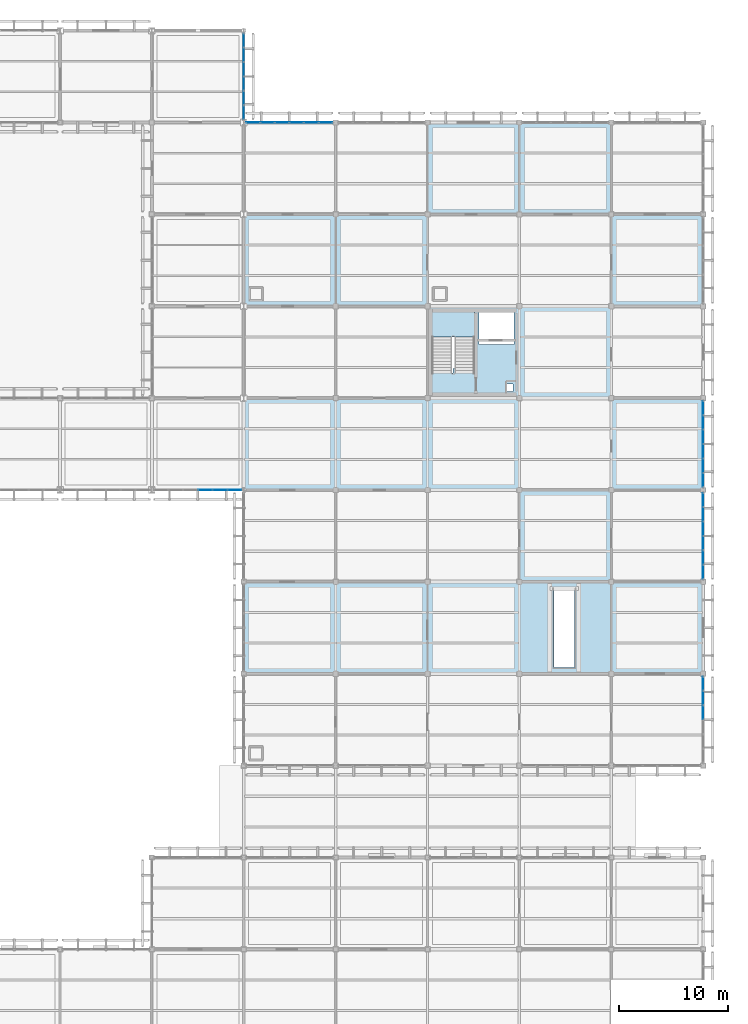
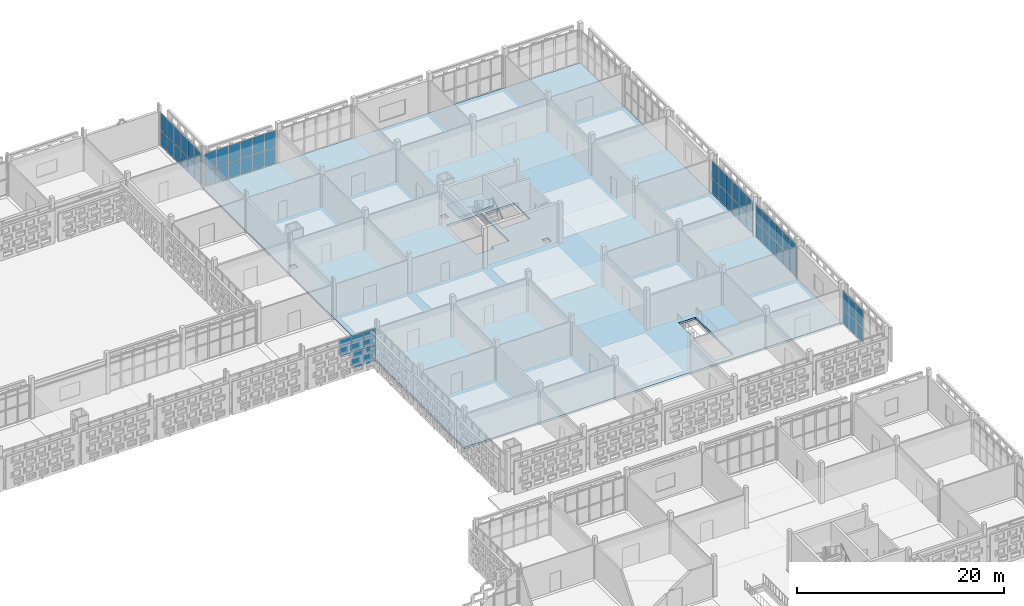
# One storey, part 106 of 203: 59 plates, 2 slabs, 7 elements without a shape of their own.
"""IFC4 building model written with IfcOpenShell, lengths in metres."""

from ifc_helpers import new_model, si_unit, direction, frame, origin, origin_2d, place, context, subcontext, project, spatial, polyline, rectangle, outline, extrude, material, layer, layer_set, type_object, element, aggregate, save


model = new_model("IFC4")

# Units and contexts
model_context = context("Model", 3, precision=1e-05, world=origin(), true_north=direction((0.0, 1.0)))
body_context = subcontext(model_context, "Body", "Model", "MODEL_VIEW")
ifc_project = project(units=[si_unit("LENGTHUNIT", "METRE"), si_unit("AREAUNIT", "SQUARE_METRE"), si_unit("VOLUMEUNIT", "CUBIC_METRE"), si_unit("PLANEANGLEUNIT", "RADIAN"), si_unit("MASSUNIT", "GRAM", prefix="KILO")], contexts=[model_context])

# Site, building, storey
site_placement = place(None, origin())
site = spatial("IfcSite", under=ifc_project, at=site_placement, CompositionType="ELEMENT")
building_placement = place(site_placement, origin())
building = spatial("IfcBuilding", under=site, at=building_placement, Name="Varnapada Polytechnic", CompositionType="ELEMENT")
storey_placement = place(building_placement, frame((0.0, 0.0, 4.800048828125)))
storey = spatial("IfcBuildingStorey", under=building, at=storey_placement, Name="L01", CompositionType="ELEMENT", Elevation=4.800048828125)

# Curtain wall, plates
ifc_material_1 = material(Name="Double low-E laminated glass", Category="glass")
ifc_layer_1 = layer(ifc_material_1, 0.159912109375)
ifc_layer_set_1 = layer_set([ifc_layer_1], Name="Double low-E laminated glass")
curtain_wall_type_1 = type_object("IfcCurtainWallType", Name="Curtain Wall CW-01", PredefinedType="NOTDEFINED", material=ifc_layer_set_1)
curtain_wall_1_placement = place(storey_placement, origin())
curtain_wall_1 = element("IfcCurtainWall", 1, at=curtain_wall_1_placement, inside=storey, type_object=curtain_wall_type_1, Name="L01 unitised curtain wall CW-01 (96)", PredefinedType="NOTDEFINED")
ifc_layer_2 = layer(ifc_material_1, 0.028076171875)
ifc_layer_set_2 = layer_set([ifc_layer_2], Name="Double low-E laminated glass")
plate_type_1 = type_object("IfcPlateType", Name="Curtain Panel PNL-01", PredefinedType="CURTAIN_PANEL", material=ifc_layer_set_2)
plate_1_placement = place(storey_placement, frame((133.56005859375, 84.0, 0.06005859375), z_axis=(0.0, 0.0, 1.0), x_axis=(-1.0, 0.0, 0.0)))
plate_1 = element("IfcPlate", 2, at=plate_1_placement, type_object=plate_type_1, Name="CW-01 panel 1.1", PredefinedType="CURTAIN_PANEL", context=body_context, shape_type="SweptSolid", body=[
    extrude(rectangle(XDim=1.260009765625, YDim=0.028076171875, at=origin_2d()), origin(), (0.0, 0.0, 1.0), 1.810791015625),
])
plate_2_placement = place(storey_placement, frame((133.56005859375, 84.0, 1.9306640625), z_axis=(0.0, 0.0, 1.0), x_axis=(-1.0, 0.0, 0.0)))
plate_2 = element("IfcPlate", 3, at=plate_2_placement, type_object=plate_type_1, Name="CW-01 panel 1.2", PredefinedType="CURTAIN_PANEL", context=body_context, shape_type="SweptSolid", body=[
    extrude(rectangle(XDim=1.260009765625, YDim=0.028076171875, at=origin_2d()), origin(), (0.0, 0.0, 1.0), 1.96923828125),
])
plate_3_placement = place(storey_placement, frame((132.22509765625, 84.0, 0.06005859375), z_axis=(0.0, 0.0, 1.0), x_axis=(-1.0, 0.0, 0.0)))
plate_3 = element("IfcPlate", 4, at=plate_3_placement, type_object=plate_type_1, Name="CW-01 panel 2.1", PredefinedType="CURTAIN_PANEL", context=body_context, shape_type="SweptSolid", body=[
    extrude(rectangle(XDim=1.2900390625, YDim=0.028076171875, at=origin_2d()), origin(), (0.0, 0.0, 1.0), 1.810791015625),
])
plate_4_placement = place(storey_placement, frame((132.22509765625, 84.0, 1.9306640625), z_axis=(0.0, 0.0, 1.0), x_axis=(-1.0, 0.0, 0.0)))
plate_4 = element("IfcPlate", 5, at=plate_4_placement, type_object=plate_type_1, Name="CW-01 panel 2.2", PredefinedType="CURTAIN_PANEL", context=body_context, shape_type="SweptSolid", body=[
    extrude(rectangle(XDim=1.2900390625, YDim=0.028076171875, at=origin_2d()), origin(), (0.0, 0.0, 1.0), 1.96923828125),
])
plate_5_placement = place(storey_placement, frame((130.875, 84.0, 1.9306640625), z_axis=(0.0, 0.0, 1.0), x_axis=(-1.0, 0.0, 0.0)))
plate_5 = element("IfcPlate", 6, at=plate_5_placement, type_object=plate_type_1, Name="CW-01 panel 3.2", PredefinedType="CURTAIN_PANEL", context=body_context, shape_type="SweptSolid", body=[
    extrude(rectangle(XDim=1.2900390625, YDim=0.028076171875, at=origin_2d()), origin(), (0.0, 0.0, 1.0), 1.96923828125),
])
aggregate(curtain_wall_1, [plate_1, plate_2, plate_3, plate_4, plate_5])

ifc_layer_3 = layer(ifc_material_1, 0.159912109375)
ifc_layer_set_3 = layer_set([ifc_layer_3], Name="Double low-E laminated glass")
curtain_wall_type_2 = type_object("IfcCurtainWallType", Name="Curtain Wall CW-02", PredefinedType="NOTDEFINED", material=ifc_layer_set_3)
curtain_wall_2_placement = place(storey_placement, origin())
curtain_wall_2 = element("IfcCurtainWall", 7, at=curtain_wall_2_placement, inside=storey, type_object=curtain_wall_type_2, Name="L01 unitised curtain wall CW-02 (99)", PredefinedType="NOTDEFINED")
plate_6_placement = place(storey_placement, frame((134.39990234375, 125.104248046875, 0.06005859375), z_axis=(0.0, 0.0, 1.0), x_axis=(0.0, -1.0, 0.0)))
plate_6 = element("IfcPlate", 8, at=plate_6_placement, type_object=plate_type_1, Name="CW-02 panel 1.1", PredefinedType="CURTAIN_PANEL", context=body_context, shape_type="SweptSolid", body=[
    extrude(rectangle(XDim=1.231689453125, YDim=0.028076171875, at=origin_2d()), origin(), (0.0, 0.0, 1.0), 1.810791015625),
])
plate_7_placement = place(storey_placement, frame((134.39990234375, 125.104248046875, 1.9306640625), z_axis=(0.0, 0.0, 1.0), x_axis=(0.0, -1.0, 0.0)))
plate_7 = element("IfcPlate", 9, at=plate_7_placement, type_object=plate_type_1, Name="CW-02 panel 1.2", PredefinedType="CURTAIN_PANEL", context=body_context, shape_type="SweptSolid", body=[
    extrude(rectangle(XDim=1.231689453125, YDim=0.028076171875, at=origin_2d()), origin(), (0.0, 0.0, 1.0), 1.96923828125),
])
plate_8_placement = place(storey_placement, frame((134.39990234375, 123.797607421875, 0.06005859375), z_axis=(0.0, 0.0, 1.0), x_axis=(0.0, -1.0, 0.0)))
plate_8 = element("IfcPlate", 10, at=plate_8_placement, type_object=plate_type_1, Name="CW-02 panel 2.1", PredefinedType="CURTAIN_PANEL", context=body_context, shape_type="SweptSolid", body=[
    extrude(rectangle(XDim=1.26171875, YDim=0.028076171875, at=origin_2d()), origin(), (0.0, 0.0, 1.0), 1.810791015625),
])
plate_9_placement = place(storey_placement, frame((134.39990234375, 123.797607421875, 1.9306640625), z_axis=(0.0, 0.0, 1.0), x_axis=(0.0, -1.0, 0.0)))
plate_9 = element("IfcPlate", 11, at=plate_9_placement, type_object=plate_type_1, Name="CW-02 panel 2.2", PredefinedType="CURTAIN_PANEL", context=body_context, shape_type="SweptSolid", body=[
    extrude(rectangle(XDim=1.26171875, YDim=0.028076171875, at=origin_2d()), origin(), (0.0, 0.0, 1.0), 1.96923828125),
])
plate_10_placement = place(storey_placement, frame((134.39990234375, 122.475830078125, 0.06005859375), z_axis=(0.0, 0.0, 1.0), x_axis=(0.0, -1.0, 0.0)))
plate_10 = element("IfcPlate", 12, at=plate_10_placement, type_object=plate_type_1, Name="CW-02 panel 3.1", PredefinedType="CURTAIN_PANEL", context=body_context, shape_type="SweptSolid", body=[
    extrude(rectangle(XDim=1.26171875, YDim=0.028076171875, at=origin_2d()), origin(), (0.0, 0.0, 1.0), 1.810791015625),
])
plate_11_placement = place(storey_placement, frame((134.39990234375, 122.475830078125, 1.9306640625), z_axis=(0.0, 0.0, 1.0), x_axis=(0.0, -1.0, 0.0)))
plate_11 = element("IfcPlate", 13, at=plate_11_placement, type_object=plate_type_1, Name="CW-02 panel 3.2", PredefinedType="CURTAIN_PANEL", context=body_context, shape_type="SweptSolid", body=[
    extrude(rectangle(XDim=1.26171875, YDim=0.028076171875, at=origin_2d()), origin(), (0.0, 0.0, 1.0), 1.96923828125),
])
plate_12_placement = place(storey_placement, frame((134.39990234375, 121.154052734375, 0.06005859375), z_axis=(0.0, 0.0, 1.0), x_axis=(0.0, -1.0, 0.0)))
plate_12 = element("IfcPlate", 14, at=plate_12_placement, type_object=plate_type_1, Name="CW-02 panel 4.1", PredefinedType="CURTAIN_PANEL", context=body_context, shape_type="SweptSolid", body=[
    extrude(rectangle(XDim=1.26171875, YDim=0.028076171875, at=origin_2d()), origin(), (0.0, 0.0, 1.0), 1.810791015625),
])
plate_13_placement = place(storey_placement, frame((134.39990234375, 121.154052734375, 1.9306640625), z_axis=(0.0, 0.0, 1.0), x_axis=(0.0, -1.0, 0.0)))
plate_13 = element("IfcPlate", 15, at=plate_13_placement, type_object=plate_type_1, Name="CW-02 panel 4.2", PredefinedType="CURTAIN_PANEL", context=body_context, shape_type="SweptSolid", body=[
    extrude(rectangle(XDim=1.26171875, YDim=0.028076171875, at=origin_2d()), origin(), (0.0, 0.0, 1.0), 1.96923828125),
])
plate_14_placement = place(storey_placement, frame((134.39990234375, 119.83251953125, 0.06005859375), z_axis=(0.0, 0.0, 1.0), x_axis=(0.0, -1.0, 0.0)))
plate_14 = element("IfcPlate", 16, at=plate_14_placement, type_object=plate_type_1, Name="CW-02 panel 5.1", PredefinedType="CURTAIN_PANEL", context=body_context, shape_type="SweptSolid", body=[
    extrude(rectangle(XDim=1.26171875, YDim=0.028076171875, at=origin_2d()), origin(), (0.0, 0.0, 1.0), 1.810791015625),
])
plate_15_placement = place(storey_placement, frame((134.39990234375, 119.83251953125, 1.9306640625), z_axis=(0.0, 0.0, 1.0), x_axis=(0.0, -1.0, 0.0)))
plate_15 = element("IfcPlate", 17, at=plate_15_placement, type_object=plate_type_1, Name="CW-02 panel 5.2", PredefinedType="CURTAIN_PANEL", context=body_context, shape_type="SweptSolid", body=[
    extrude(rectangle(XDim=1.26171875, YDim=0.028076171875, at=origin_2d()), origin(), (0.0, 0.0, 1.0), 1.96923828125),
])
plate_16_placement = place(storey_placement, frame((134.39990234375, 118.52587890625, 0.06005859375), z_axis=(0.0, 0.0, 1.0), x_axis=(0.0, -1.0, 0.0)))
plate_16 = element("IfcPlate", 18, at=plate_16_placement, type_object=plate_type_1, Name="CW-02 panel 6.1", PredefinedType="CURTAIN_PANEL", context=body_context, shape_type="SweptSolid", body=[
    extrude(rectangle(XDim=1.231689453125, YDim=0.028076171875, at=origin_2d()), origin(), (0.0, 0.0, 1.0), 1.810791015625),
])
plate_17_placement = place(storey_placement, frame((134.39990234375, 118.52587890625, 1.9306640625), z_axis=(0.0, 0.0, 1.0), x_axis=(0.0, -1.0, 0.0)))
plate_17 = element("IfcPlate", 19, at=plate_17_placement, type_object=plate_type_1, Name="CW-02 panel 6.2", PredefinedType="CURTAIN_PANEL", context=body_context, shape_type="SweptSolid", body=[
    extrude(rectangle(XDim=1.231689453125, YDim=0.028076171875, at=origin_2d()), origin(), (0.0, 0.0, 1.0), 1.96923828125),
])
aggregate(curtain_wall_2, [plate_6, plate_7, plate_8, plate_9, plate_10, plate_11, plate_12, plate_13, plate_14, plate_15, plate_16, plate_17])

ifc_layer_4 = layer(ifc_material_1, 0.179931640625)
ifc_layer_set_4 = layer_set([ifc_layer_4], Name="Double low-E laminated glass")
curtain_wall_type_3 = type_object("IfcCurtainWallType", Name="Curtain Wall CW-04", PredefinedType="NOTDEFINED", material=ifc_layer_set_4)
curtain_wall_3_placement = place(storey_placement, origin())
curtain_wall_3 = element("IfcCurtainWall", 20, at=curtain_wall_3_placement, inside=storey, type_object=curtain_wall_type_3, Name="L01 unitised curtain wall CW-04 (105)", PredefinedType="NOTDEFINED")
ifc_layer_5 = layer(ifc_material_1, 0.031982421875)
ifc_layer_set_5 = layer_set([ifc_layer_5], Name="Double low-E laminated glass")
plate_type_2 = type_object("IfcPlateType", Name="Curtain Panel PNL-02", PredefinedType="CURTAIN_PANEL", material=ifc_layer_set_5)
plate_18_placement = place(storey_placement, frame((135.234619140625, 117.60009765625, 0.06494140625), z_axis=(0.0, 0.0, 1.0), x_axis=(1.0, 0.0, 0.0)))
plate_18 = element("IfcPlate", 21, at=plate_18_placement, type_object=plate_type_2, Name="CW-04 panel 1.1", PredefinedType="CURTAIN_PANEL", context=body_context, shape_type="SweptSolid", body=[
    extrude(rectangle(XDim=1.2392578125, YDim=0.031982421875, at=origin_2d()), origin(), (0.0, 0.0, 1.0), 1.80322265625),
])
plate_19_placement = place(storey_placement, frame((135.234619140625, 117.60009765625, 1.93310546875), z_axis=(0.0, 0.0, 1.0), x_axis=(1.0, 0.0, 0.0)))
plate_19 = element("IfcPlate", 22, at=plate_19_placement, type_object=plate_type_2, Name="CW-04 panel 1.2", PredefinedType="CURTAIN_PANEL", context=body_context, shape_type="SweptSolid", body=[
    extrude(rectangle(XDim=1.2392578125, YDim=0.031982421875, at=origin_2d()), origin(), (0.0, 0.0, 1.0), 1.961669921875),
])
plate_20_placement = place(storey_placement, frame((136.554931640625, 117.60009765625, 0.06494140625), z_axis=(0.0, 0.0, 1.0), x_axis=(1.0, 0.0, 0.0)))
plate_20 = element("IfcPlate", 23, at=plate_20_placement, type_object=plate_type_2, Name="CW-04 panel 2.1", PredefinedType="CURTAIN_PANEL", context=body_context, shape_type="SweptSolid", body=[
    extrude(rectangle(XDim=1.271728515625, YDim=0.031982421875, at=origin_2d()), origin(), (0.0, 0.0, 1.0), 1.80322265625),
])
plate_21_placement = place(storey_placement, frame((136.554931640625, 117.60009765625, 1.93310546875), z_axis=(0.0, 0.0, 1.0), x_axis=(1.0, 0.0, 0.0)))
plate_21 = element("IfcPlate", 24, at=plate_21_placement, type_object=plate_type_2, Name="CW-04 panel 2.2", PredefinedType="CURTAIN_PANEL", context=body_context, shape_type="SweptSolid", body=[
    extrude(rectangle(XDim=1.271728515625, YDim=0.031982421875, at=origin_2d()), origin(), (0.0, 0.0, 1.0), 1.961669921875),
])
plate_22_placement = place(storey_placement, frame((137.8916015625, 117.60009765625, 0.06494140625), z_axis=(0.0, 0.0, 1.0), x_axis=(1.0, 0.0, 0.0)))
plate_22 = element("IfcPlate", 25, at=plate_22_placement, type_object=plate_type_2, Name="CW-04 panel 3.1", PredefinedType="CURTAIN_PANEL", context=body_context, shape_type="SweptSolid", body=[
    extrude(rectangle(XDim=1.271728515625, YDim=0.031982421875, at=origin_2d()), origin(), (0.0, 0.0, 1.0), 1.80322265625),
])
plate_23_placement = place(storey_placement, frame((137.8916015625, 117.60009765625, 1.93310546875), z_axis=(0.0, 0.0, 1.0), x_axis=(1.0, 0.0, 0.0)))
plate_23 = element("IfcPlate", 26, at=plate_23_placement, type_object=plate_type_2, Name="CW-04 panel 3.2", PredefinedType="CURTAIN_PANEL", context=body_context, shape_type="SweptSolid", body=[
    extrude(rectangle(XDim=1.271728515625, YDim=0.031982421875, at=origin_2d()), origin(), (0.0, 0.0, 1.0), 1.961669921875),
])
plate_24_placement = place(storey_placement, frame((139.228271484375, 117.60009765625, 0.06494140625), z_axis=(0.0, 0.0, 1.0), x_axis=(1.0, 0.0, 0.0)))
plate_24 = element("IfcPlate", 27, at=plate_24_placement, type_object=plate_type_2, Name="CW-04 panel 4.1", PredefinedType="CURTAIN_PANEL", context=body_context, shape_type="SweptSolid", body=[
    extrude(rectangle(XDim=1.271728515625, YDim=0.031982421875, at=origin_2d()), origin(), (0.0, 0.0, 1.0), 1.80322265625),
])
plate_25_placement = place(storey_placement, frame((139.228271484375, 117.60009765625, 1.93310546875), z_axis=(0.0, 0.0, 1.0), x_axis=(1.0, 0.0, 0.0)))
plate_25 = element("IfcPlate", 28, at=plate_25_placement, type_object=plate_type_2, Name="CW-04 panel 4.2", PredefinedType="CURTAIN_PANEL", context=body_context, shape_type="SweptSolid", body=[
    extrude(rectangle(XDim=1.271728515625, YDim=0.031982421875, at=origin_2d()), origin(), (0.0, 0.0, 1.0), 1.961669921875),
])
plate_26_placement = place(storey_placement, frame((140.56494140625, 117.60009765625, 0.06494140625), z_axis=(0.0, 0.0, 1.0), x_axis=(1.0, 0.0, 0.0)))
plate_26 = element("IfcPlate", 29, at=plate_26_placement, type_object=plate_type_2, Name="CW-04 panel 5.1", PredefinedType="CURTAIN_PANEL", context=body_context, shape_type="SweptSolid", body=[
    extrude(rectangle(XDim=1.271728515625, YDim=0.031982421875, at=origin_2d()), origin(), (0.0, 0.0, 1.0), 1.80322265625),
])
plate_27_placement = place(storey_placement, frame((140.56494140625, 117.60009765625, 1.93310546875), z_axis=(0.0, 0.0, 1.0), x_axis=(1.0, 0.0, 0.0)))
plate_27 = element("IfcPlate", 30, at=plate_27_placement, type_object=plate_type_2, Name="CW-04 panel 5.2", PredefinedType="CURTAIN_PANEL", context=body_context, shape_type="SweptSolid", body=[
    extrude(rectangle(XDim=1.271728515625, YDim=0.031982421875, at=origin_2d()), origin(), (0.0, 0.0, 1.0), 1.961669921875),
])
plate_28_placement = place(storey_placement, frame((141.885498046875, 117.60009765625, 0.06494140625), z_axis=(0.0, 0.0, 1.0), x_axis=(1.0, 0.0, 0.0)))
plate_28 = element("IfcPlate", 31, at=plate_28_placement, type_object=plate_type_2, Name="CW-04 panel 6.1", PredefinedType="CURTAIN_PANEL", context=body_context, shape_type="SweptSolid", body=[
    extrude(rectangle(XDim=1.2392578125, YDim=0.031982421875, at=origin_2d()), origin(), (0.0, 0.0, 1.0), 1.80322265625),
])
plate_29_placement = place(storey_placement, frame((141.885498046875, 117.60009765625, 1.93310546875), z_axis=(0.0, 0.0, 1.0), x_axis=(1.0, 0.0, 0.0)))
plate_29 = element("IfcPlate", 32, at=plate_29_placement, type_object=plate_type_2, Name="CW-04 panel 6.2", PredefinedType="CURTAIN_PANEL", context=body_context, shape_type="SweptSolid", body=[
    extrude(rectangle(XDim=1.2392578125, YDim=0.031982421875, at=origin_2d()), origin(), (0.0, 0.0, 1.0), 1.961669921875),
])
aggregate(curtain_wall_3, [plate_18, plate_19, plate_20, plate_21, plate_22, plate_23, plate_24, plate_25, plate_26, plate_27, plate_28, plate_29])

curtain_wall_4_placement = place(storey_placement, origin())
curtain_wall_4 = element("IfcCurtainWall", 33, at=curtain_wall_4_placement, inside=storey, type_object=curtain_wall_type_3, Name="L01 unitised curtain wall CW-04 (122)", PredefinedType="NOTDEFINED")
plate_30_placement = place(storey_placement, frame((176.39990234375, 66.291259765625, 0.06494140625), z_axis=(0.0, 0.0, 1.0), x_axis=(0.0, -1.0, 0.0)))
plate_30 = element("IfcPlate", 34, at=plate_30_placement, type_object=plate_type_2, Name="CW-04 panel 1.1", PredefinedType="CURTAIN_PANEL", context=body_context, shape_type="SweptSolid", body=[
    extrude(rectangle(XDim=1.2275390625, YDim=0.031982421875, at=origin_2d()), origin(), (0.0, 0.0, 1.0), 1.80322265625),
])
plate_31_placement = place(storey_placement, frame((176.39990234375, 66.291259765625, 1.93310546875), z_axis=(0.0, 0.0, 1.0), x_axis=(0.0, -1.0, 0.0)))
plate_31 = element("IfcPlate", 35, at=plate_31_placement, type_object=plate_type_2, Name="CW-04 panel 1.2", PredefinedType="CURTAIN_PANEL", context=body_context, shape_type="SweptSolid", body=[
    extrude(rectangle(XDim=1.2275390625, YDim=0.031982421875, at=origin_2d()), origin(), (0.0, 0.0, 1.0), 1.961669921875),
])
plate_32_placement = place(storey_placement, frame((176.39990234375, 64.982421875, 0.06494140625), z_axis=(0.0, 0.0, 1.0), x_axis=(0.0, -1.0, 0.0)))
plate_32 = element("IfcPlate", 36, at=plate_32_placement, type_object=plate_type_2, Name="CW-04 panel 2.1", PredefinedType="CURTAIN_PANEL", context=body_context, shape_type="SweptSolid", body=[
    extrude(rectangle(XDim=1.260009765625, YDim=0.031982421875, at=origin_2d()), origin(), (0.0, 0.0, 1.0), 1.80322265625),
])
plate_33_placement = place(storey_placement, frame((176.39990234375, 64.982421875, 1.93310546875), z_axis=(0.0, 0.0, 1.0), x_axis=(0.0, -1.0, 0.0)))
plate_33 = element("IfcPlate", 37, at=plate_33_placement, type_object=plate_type_2, Name="CW-04 panel 2.2", PredefinedType="CURTAIN_PANEL", context=body_context, shape_type="SweptSolid", body=[
    extrude(rectangle(XDim=1.260009765625, YDim=0.031982421875, at=origin_2d()), origin(), (0.0, 0.0, 1.0), 1.961669921875),
])
plate_34_placement = place(storey_placement, frame((176.39990234375, 63.657470703125, 0.06494140625), z_axis=(0.0, 0.0, 1.0), x_axis=(0.0, -1.0, 0.0)))
plate_34 = element("IfcPlate", 38, at=plate_34_placement, type_object=plate_type_2, Name="CW-04 panel 3.1", PredefinedType="CURTAIN_PANEL", context=body_context, shape_type="SweptSolid", body=[
    extrude(rectangle(XDim=1.260009765625, YDim=0.031982421875, at=origin_2d()), origin(), (0.0, 0.0, 1.0), 1.80322265625),
])
plate_35_placement = place(storey_placement, frame((176.39990234375, 63.657470703125, 1.93310546875), z_axis=(0.0, 0.0, 1.0), x_axis=(0.0, -1.0, 0.0)))
plate_35 = element("IfcPlate", 39, at=plate_35_placement, type_object=plate_type_2, Name="CW-04 panel 3.2", PredefinedType="CURTAIN_PANEL", context=body_context, shape_type="SweptSolid", body=[
    extrude(rectangle(XDim=1.260009765625, YDim=0.031982421875, at=origin_2d()), origin(), (0.0, 0.0, 1.0), 1.961669921875),
])
aggregate(curtain_wall_4, [plate_30, plate_31, plate_32, plate_33, plate_34, plate_35])

curtain_wall_5_placement = place(storey_placement, origin())
curtain_wall_5 = element("IfcCurtainWall", 40, at=curtain_wall_5_placement, inside=storey, type_object=curtain_wall_type_3, Name="L01 unitised curtain wall CW-04 (123)", PredefinedType="NOTDEFINED")
plate_36_placement = place(storey_placement, frame((176.39990234375, 83.09130859375, 0.06494140625), z_axis=(0.0, 0.0, 1.0), x_axis=(0.0, -1.0, 0.0)))
plate_36 = element("IfcPlate", 41, at=plate_36_placement, type_object=plate_type_2, Name="CW-04 panel 1.1", PredefinedType="CURTAIN_PANEL", context=body_context, shape_type="SweptSolid", body=[
    extrude(rectangle(XDim=1.2275390625, YDim=0.031982421875, at=origin_2d()), origin(), (0.0, 0.0, 1.0), 1.80322265625),
])
plate_37_placement = place(storey_placement, frame((176.39990234375, 83.09130859375, 1.93310546875), z_axis=(0.0, 0.0, 1.0), x_axis=(0.0, -1.0, 0.0)))
plate_37 = element("IfcPlate", 42, at=plate_37_placement, type_object=plate_type_2, Name="CW-04 panel 1.2", PredefinedType="CURTAIN_PANEL", context=body_context, shape_type="SweptSolid", body=[
    extrude(rectangle(XDim=1.2275390625, YDim=0.031982421875, at=origin_2d()), origin(), (0.0, 0.0, 1.0), 1.961669921875),
])
plate_38_placement = place(storey_placement, frame((176.39990234375, 81.782470703125, 0.06494140625), z_axis=(0.0, 0.0, 1.0), x_axis=(0.0, -1.0, 0.0)))
plate_38 = element("IfcPlate", 43, at=plate_38_placement, type_object=plate_type_2, Name="CW-04 panel 2.1", PredefinedType="CURTAIN_PANEL", context=body_context, shape_type="SweptSolid", body=[
    extrude(rectangle(XDim=1.260009765625, YDim=0.031982421875, at=origin_2d()), origin(), (0.0, 0.0, 1.0), 1.80322265625),
])
plate_39_placement = place(storey_placement, frame((176.39990234375, 81.782470703125, 1.93310546875), z_axis=(0.0, 0.0, 1.0), x_axis=(0.0, -1.0, 0.0)))
plate_39 = element("IfcPlate", 44, at=plate_39_placement, type_object=plate_type_2, Name="CW-04 panel 2.2", PredefinedType="CURTAIN_PANEL", context=body_context, shape_type="SweptSolid", body=[
    extrude(rectangle(XDim=1.260009765625, YDim=0.031982421875, at=origin_2d()), origin(), (0.0, 0.0, 1.0), 1.961669921875),
])
plate_40_placement = place(storey_placement, frame((176.39990234375, 80.45751953125, 0.06494140625), z_axis=(0.0, 0.0, 1.0), x_axis=(0.0, -1.0, 0.0)))
plate_40 = element("IfcPlate", 45, at=plate_40_placement, type_object=plate_type_2, Name="CW-04 panel 3.1", PredefinedType="CURTAIN_PANEL", context=body_context, shape_type="SweptSolid", body=[
    extrude(rectangle(XDim=1.260009765625, YDim=0.031982421875, at=origin_2d()), origin(), (0.0, 0.0, 1.0), 1.80322265625),
])
plate_41_placement = place(storey_placement, frame((176.39990234375, 80.45751953125, 1.93310546875), z_axis=(0.0, 0.0, 1.0), x_axis=(0.0, -1.0, 0.0)))
plate_41 = element("IfcPlate", 46, at=plate_41_placement, type_object=plate_type_2, Name="CW-04 panel 3.2", PredefinedType="CURTAIN_PANEL", context=body_context, shape_type="SweptSolid", body=[
    extrude(rectangle(XDim=1.260009765625, YDim=0.031982421875, at=origin_2d()), origin(), (0.0, 0.0, 1.0), 1.961669921875),
])
plate_42_placement = place(storey_placement, frame((176.39990234375, 79.132568359375, 0.06494140625), z_axis=(0.0, 0.0, 1.0), x_axis=(0.0, -1.0, 0.0)))
plate_42 = element("IfcPlate", 47, at=plate_42_placement, type_object=plate_type_2, Name="CW-04 panel 4.1", PredefinedType="CURTAIN_PANEL", context=body_context, shape_type="SweptSolid", body=[
    extrude(rectangle(XDim=1.260009765625, YDim=0.031982421875, at=origin_2d()), origin(), (0.0, 0.0, 1.0), 1.80322265625),
])
plate_43_placement = place(storey_placement, frame((176.39990234375, 79.132568359375, 1.93310546875), z_axis=(0.0, 0.0, 1.0), x_axis=(0.0, -1.0, 0.0)))
plate_43 = element("IfcPlate", 48, at=plate_43_placement, type_object=plate_type_2, Name="CW-04 panel 4.2", PredefinedType="CURTAIN_PANEL", context=body_context, shape_type="SweptSolid", body=[
    extrude(rectangle(XDim=1.260009765625, YDim=0.031982421875, at=origin_2d()), origin(), (0.0, 0.0, 1.0), 1.961669921875),
])
plate_44_placement = place(storey_placement, frame((176.39990234375, 77.8076171875, 0.06494140625), z_axis=(0.0, 0.0, 1.0), x_axis=(0.0, -1.0, 0.0)))
plate_44 = element("IfcPlate", 49, at=plate_44_placement, type_object=plate_type_2, Name="CW-04 panel 5.1", PredefinedType="CURTAIN_PANEL", context=body_context, shape_type="SweptSolid", body=[
    extrude(rectangle(XDim=1.260009765625, YDim=0.031982421875, at=origin_2d()), origin(), (0.0, 0.0, 1.0), 1.80322265625),
])
plate_45_placement = place(storey_placement, frame((176.39990234375, 77.8076171875, 1.93310546875), z_axis=(0.0, 0.0, 1.0), x_axis=(0.0, -1.0, 0.0)))
plate_45 = element("IfcPlate", 50, at=plate_45_placement, type_object=plate_type_2, Name="CW-04 panel 5.2", PredefinedType="CURTAIN_PANEL", context=body_context, shape_type="SweptSolid", body=[
    extrude(rectangle(XDim=1.260009765625, YDim=0.031982421875, at=origin_2d()), origin(), (0.0, 0.0, 1.0), 1.961669921875),
])
plate_46_placement = place(storey_placement, frame((176.39990234375, 76.498779296875, 0.06494140625), z_axis=(0.0, 0.0, 1.0), x_axis=(0.0, -1.0, 0.0)))
plate_46 = element("IfcPlate", 51, at=plate_46_placement, type_object=plate_type_2, Name="CW-04 panel 6.1", PredefinedType="CURTAIN_PANEL", context=body_context, shape_type="SweptSolid", body=[
    extrude(rectangle(XDim=1.2275390625, YDim=0.031982421875, at=origin_2d()), origin(), (0.0, 0.0, 1.0), 1.80322265625),
])
plate_47_placement = place(storey_placement, frame((176.39990234375, 76.498779296875, 1.93310546875), z_axis=(0.0, 0.0, 1.0), x_axis=(0.0, -1.0, 0.0)))
plate_47 = element("IfcPlate", 52, at=plate_47_placement, type_object=plate_type_2, Name="CW-04 panel 6.2", PredefinedType="CURTAIN_PANEL", context=body_context, shape_type="SweptSolid", body=[
    extrude(rectangle(XDim=1.2275390625, YDim=0.031982421875, at=origin_2d()), origin(), (0.0, 0.0, 1.0), 1.961669921875),
])
aggregate(curtain_wall_5, [plate_36, plate_37, plate_38, plate_39, plate_40, plate_41, plate_42, plate_43, plate_44, plate_45, plate_46, plate_47])

curtain_wall_6_placement = place(storey_placement, origin())
curtain_wall_6 = element("IfcCurtainWall", 53, at=curtain_wall_6_placement, inside=storey, type_object=curtain_wall_type_3, Name="L01 unitised curtain wall CW-04 (124)", PredefinedType="NOTDEFINED")
plate_48_placement = place(storey_placement, frame((176.39990234375, 91.501220703125, 0.06494140625), z_axis=(0.0, 0.0, 1.0), x_axis=(0.0, -1.0, 0.0)))
plate_48 = element("IfcPlate", 54, at=plate_48_placement, type_object=plate_type_2, Name="CW-04 panel 1.1", PredefinedType="CURTAIN_PANEL", context=body_context, shape_type="SweptSolid", body=[
    extrude(rectangle(XDim=1.2275390625, YDim=0.031982421875, at=origin_2d()), origin(), (0.0, 0.0, 1.0), 1.80322265625),
])
plate_49_placement = place(storey_placement, frame((176.39990234375, 91.501220703125, 1.93310546875), z_axis=(0.0, 0.0, 1.0), x_axis=(0.0, -1.0, 0.0)))
plate_49 = element("IfcPlate", 55, at=plate_49_placement, type_object=plate_type_2, Name="CW-04 panel 1.2", PredefinedType="CURTAIN_PANEL", context=body_context, shape_type="SweptSolid", body=[
    extrude(rectangle(XDim=1.2275390625, YDim=0.031982421875, at=origin_2d()), origin(), (0.0, 0.0, 1.0), 1.961669921875),
])
plate_50_placement = place(storey_placement, frame((176.39990234375, 90.1923828125, 0.06494140625), z_axis=(0.0, 0.0, 1.0), x_axis=(0.0, -1.0, 0.0)))
plate_50 = element("IfcPlate", 56, at=plate_50_placement, type_object=plate_type_2, Name="CW-04 panel 2.1", PredefinedType="CURTAIN_PANEL", context=body_context, shape_type="SweptSolid", body=[
    extrude(rectangle(XDim=1.260009765625, YDim=0.031982421875, at=origin_2d()), origin(), (0.0, 0.0, 1.0), 1.80322265625),
])
plate_51_placement = place(storey_placement, frame((176.39990234375, 90.1923828125, 1.93310546875), z_axis=(0.0, 0.0, 1.0), x_axis=(0.0, -1.0, 0.0)))
plate_51 = element("IfcPlate", 57, at=plate_51_placement, type_object=plate_type_2, Name="CW-04 panel 2.2", PredefinedType="CURTAIN_PANEL", context=body_context, shape_type="SweptSolid", body=[
    extrude(rectangle(XDim=1.260009765625, YDim=0.031982421875, at=origin_2d()), origin(), (0.0, 0.0, 1.0), 1.961669921875),
])
plate_52_placement = place(storey_placement, frame((176.39990234375, 88.867431640625, 0.06494140625), z_axis=(0.0, 0.0, 1.0), x_axis=(0.0, -1.0, 0.0)))
plate_52 = element("IfcPlate", 58, at=plate_52_placement, type_object=plate_type_2, Name="CW-04 panel 3.1", PredefinedType="CURTAIN_PANEL", context=body_context, shape_type="SweptSolid", body=[
    extrude(rectangle(XDim=1.260009765625, YDim=0.031982421875, at=origin_2d()), origin(), (0.0, 0.0, 1.0), 1.80322265625),
])
plate_53_placement = place(storey_placement, frame((176.39990234375, 88.867431640625, 1.93310546875), z_axis=(0.0, 0.0, 1.0), x_axis=(0.0, -1.0, 0.0)))
plate_53 = element("IfcPlate", 59, at=plate_53_placement, type_object=plate_type_2, Name="CW-04 panel 3.2", PredefinedType="CURTAIN_PANEL", context=body_context, shape_type="SweptSolid", body=[
    extrude(rectangle(XDim=1.260009765625, YDim=0.031982421875, at=origin_2d()), origin(), (0.0, 0.0, 1.0), 1.961669921875),
])
plate_54_placement = place(storey_placement, frame((176.39990234375, 87.54248046875, 0.06494140625), z_axis=(0.0, 0.0, 1.0), x_axis=(0.0, -1.0, 0.0)))
plate_54 = element("IfcPlate", 60, at=plate_54_placement, type_object=plate_type_2, Name="CW-04 panel 4.1", PredefinedType="CURTAIN_PANEL", context=body_context, shape_type="SweptSolid", body=[
    extrude(rectangle(XDim=1.260009765625, YDim=0.031982421875, at=origin_2d()), origin(), (0.0, 0.0, 1.0), 1.80322265625),
])
plate_55_placement = place(storey_placement, frame((176.39990234375, 87.54248046875, 1.93310546875), z_axis=(0.0, 0.0, 1.0), x_axis=(0.0, -1.0, 0.0)))
plate_55 = element("IfcPlate", 61, at=plate_55_placement, type_object=plate_type_2, Name="CW-04 panel 4.2", PredefinedType="CURTAIN_PANEL", context=body_context, shape_type="SweptSolid", body=[
    extrude(rectangle(XDim=1.260009765625, YDim=0.031982421875, at=origin_2d()), origin(), (0.0, 0.0, 1.0), 1.961669921875),
])
plate_56_placement = place(storey_placement, frame((176.39990234375, 86.217529296875, 0.06494140625), z_axis=(0.0, 0.0, 1.0), x_axis=(0.0, -1.0, 0.0)))
plate_56 = element("IfcPlate", 62, at=plate_56_placement, type_object=plate_type_2, Name="CW-04 panel 5.1", PredefinedType="CURTAIN_PANEL", context=body_context, shape_type="SweptSolid", body=[
    extrude(rectangle(XDim=1.260009765625, YDim=0.031982421875, at=origin_2d()), origin(), (0.0, 0.0, 1.0), 1.80322265625),
])
plate_57_placement = place(storey_placement, frame((176.39990234375, 86.217529296875, 1.93310546875), z_axis=(0.0, 0.0, 1.0), x_axis=(0.0, -1.0, 0.0)))
plate_57 = element("IfcPlate", 63, at=plate_57_placement, type_object=plate_type_2, Name="CW-04 panel 5.2", PredefinedType="CURTAIN_PANEL", context=body_context, shape_type="SweptSolid", body=[
    extrude(rectangle(XDim=1.260009765625, YDim=0.031982421875, at=origin_2d()), origin(), (0.0, 0.0, 1.0), 1.961669921875),
])
plate_58_placement = place(storey_placement, frame((176.39990234375, 84.90869140625, 0.06494140625), z_axis=(0.0, 0.0, 1.0), x_axis=(0.0, -1.0, 0.0)))
plate_58 = element("IfcPlate", 64, at=plate_58_placement, type_object=plate_type_2, Name="CW-04 panel 6.1", PredefinedType="CURTAIN_PANEL", context=body_context, shape_type="SweptSolid", body=[
    extrude(rectangle(XDim=1.2275390625, YDim=0.031982421875, at=origin_2d()), origin(), (0.0, 0.0, 1.0), 1.80322265625),
])
plate_59_placement = place(storey_placement, frame((176.39990234375, 84.90869140625, 1.93310546875), z_axis=(0.0, 0.0, 1.0), x_axis=(0.0, -1.0, 0.0)))
plate_59 = element("IfcPlate", 65, at=plate_59_placement, type_object=plate_type_2, Name="CW-04 panel 6.2", PredefinedType="CURTAIN_PANEL", context=body_context, shape_type="SweptSolid", body=[
    extrude(rectangle(XDim=1.2275390625, YDim=0.031982421875, at=origin_2d()), origin(), (0.0, 0.0, 1.0), 1.961669921875),
])
aggregate(curtain_wall_6, [plate_48, plate_49, plate_50, plate_51, plate_52, plate_53, plate_54, plate_55, plate_56, plate_57, plate_58, plate_59])

# Slab
ifc_material_2 = material(Name="Cross-laminated timber CLT C24", Category="wood")
ifc_layer_6 = layer(ifc_material_2, 0.25)
ifc_layer_set_6 = layer_set([ifc_layer_6], Name="Cross-laminated timber CLT C24")
slab_type_1 = type_object("IfcSlabType", Name="L01/L02 library & union CLT composite slab SL-05", PredefinedType="FLOOR", material=ifc_layer_set_6)
slab_1_placement = place(storey_placement, frame((0.0, 0.0, -0.25)))
element("IfcSlab", 66, at=slab_1_placement, inside=storey, type_object=slab_type_1, Name="L01 V5 slab 5.1", PredefinedType="FLOOR", context=body_context, shape_type="SweptSolid", body=[
    extrude(outline(polyline([(134.39990234375, 92.39990234375), (134.39990234375, 100.800048828125), (134.39990234375, 109.199951171875), (134.39990234375, 117.60009765625), (142.800048828125, 117.60009765625), (151.199951171875, 117.60009765625), (159.60009765625, 117.60009765625), (168.0, 117.60009765625), (176.39990234375, 117.60009765625), (176.39990234375, 109.199951171875), (176.39990234375, 100.800048828125), (176.39990234375, 92.39990234375), (176.39990234375, 84.0), (176.39990234375, 75.60009765625), (176.39990234375, 67.199951171875), (168.0, 67.199951171875), (159.60009765625, 67.199951171875), (151.199951171875, 67.199951171875), (142.800048828125, 67.199951171875), (134.39990234375, 67.199951171875), (134.39990234375, 75.60009765625), (134.39990234375, 84.0), (134.39990234375, 92.39990234375)]), holes=[polyline([(151.60009765625, 94.7099609375), (153.550048828125, 94.7099609375), (153.550048828125, 95.110107421875), (155.5, 95.110107421875), (155.5, 100.39990234375), (151.60009765625, 100.39990234375), (151.60009765625, 94.7099609375)]), polyline([(162.75, 67.75), (164.64990234375, 67.75), (164.64990234375, 75.0), (162.75, 75.0), (162.75, 67.75)]), polyline([(155.89990234375, 97.300048828125), (159.10009765625, 97.300048828125), (159.10009765625, 100.35009765625), (155.89990234375, 100.35009765625), (155.89990234375, 97.300048828125)]), polyline([(158.35009765625, 93.02001953125), (159.0, 93.02001953125), (159.0, 93.669921875), (158.35009765625, 93.669921875), (158.35009765625, 93.02001953125)]), polyline([(135.050048828125, 101.449951171875), (135.64990234375, 101.449951171875), (135.64990234375, 102.050048828125), (135.050048828125, 102.050048828125), (135.050048828125, 101.449951171875)]), polyline([(151.85009765625, 101.449951171875), (152.449951171875, 101.449951171875), (152.449951171875, 102.050048828125), (151.85009765625, 102.050048828125), (151.85009765625, 101.449951171875)])]), origin(), (0.0, 0.0, 1.0), 0.25),
])

# Stair, slab
ifc_material_3 = material(Name="Concrete C40/50", Category="concrete")
stair_type = type_object("IfcStairType", Name="Core Exit Stair ST-B", PredefinedType="HALF_TURN_STAIR", material=ifc_material_3)
stair_placement = place(storey_placement, origin())
stair = element("IfcStair", 67, at=stair_placement, inside=storey, type_object=stair_type, Name="L01 Core C5 Exit Stair", PredefinedType="HALF_TURN_STAIR")
ifc_layer_7 = layer(ifc_material_3, 0.219970703125)
ifc_layer_set_7 = layer_set([ifc_layer_7], Name="Concrete C40/50")
slab_type_2 = type_object("IfcSlabType", Name="Stair Half Landing SLD-02", PredefinedType="LANDING", material=ifc_layer_set_7)
slab_2_placement = place(storey_placement, frame((0.0, 0.0, 2.179931640625)))
slab_2 = element("IfcSlab", 68, at=slab_2_placement, type_object=slab_type_2, Name="ST-5 landing 1", PredefinedType="LANDING", context=body_context, shape_type="SweptSolid", body=[
    extrude(outline(polyline([(155.5, 98.010009765625), (155.5, 100.39990234375), (151.60009765625, 100.39990234375), (151.60009765625, 98.010009765625), (155.5, 98.010009765625)])), origin(), (0.0, 0.0, 1.0), 0.219970703125),
])
aggregate(stair, [slab_2])

save(model, "model.ifc")
